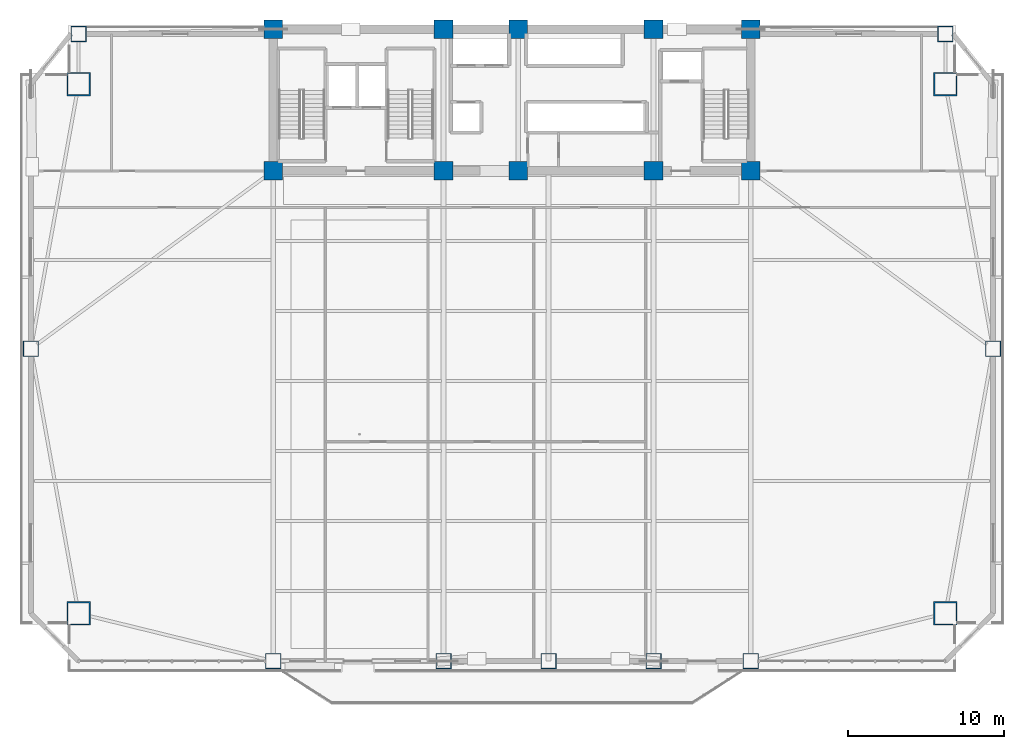
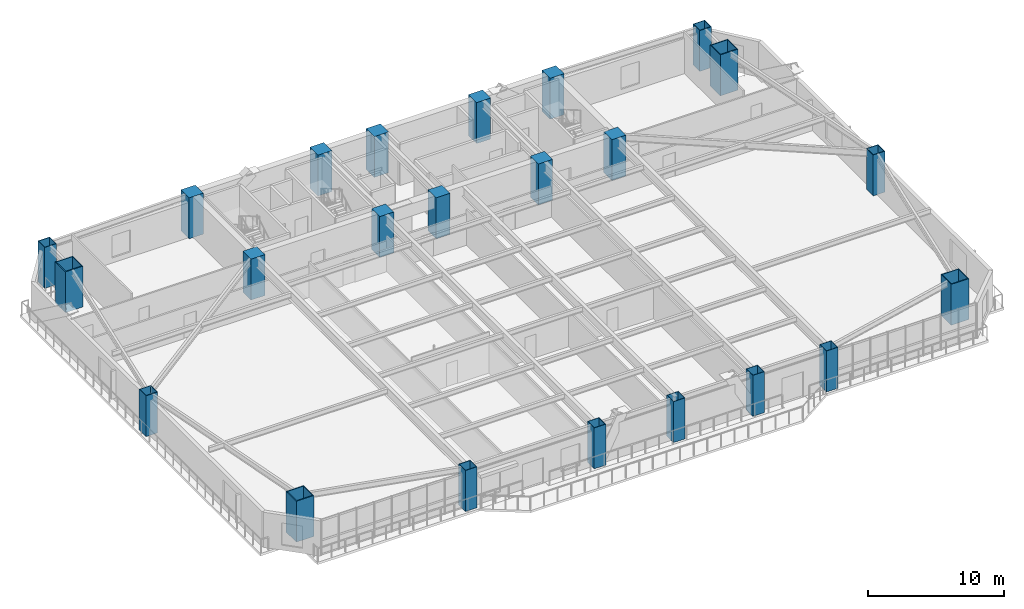
# One storey, part 1 of 16: 23 columns.
"""IFC4 building model written with IfcOpenShell, lengths in metres."""

from ifc_helpers import new_model, si_unit, direction, frame, origin, origin_2d, place, context, subcontext, project, spatial, rectangle, hollow_rectangle, extrude, source, transform, mapped, material, material_profile, profile_set, type_object, element, save


model = new_model("IFC4")

# Units and contexts
model_context = context("Model", 3, precision=1e-05, world=origin(), true_north=direction((0.0, 1.0)))
body_context = subcontext(model_context, "Body", "Model", "MODEL_VIEW")
ifc_project = project(units=[si_unit("LENGTHUNIT", "METRE"), si_unit("AREAUNIT", "SQUARE_METRE"), si_unit("VOLUMEUNIT", "CUBIC_METRE"), si_unit("PLANEANGLEUNIT", "RADIAN"), si_unit("MASSUNIT", "GRAM", prefix="KILO")], contexts=[model_context])

# Site, building, storey
site_placement = place(None, origin())
site = spatial("IfcSite", under=ifc_project, at=site_placement, CompositionType="ELEMENT")
building_placement = place(site_placement, origin())
building = spatial("IfcBuilding", under=site, at=building_placement, Name="Giltprow Tower", CompositionType="ELEMENT")
storey_placement = place(building_placement, frame((0.0, 0.0, 87.39990234375)))
storey = spatial("IfcBuildingStorey", under=building, at=storey_placement, Name="L21", CompositionType="ELEMENT", Elevation=87.39990234375)

# Columns
ifc_material_1 = material(Name="Concrete C60", Category="concrete")
ifc_material_profile_1 = material_profile(ifc_material_1, rectangle(XDim=1.199951171875, YDim=1.199951171875, at=origin_2d()), Name="RC 1200x1200")
ifc_profile_set_1 = profile_set([ifc_material_profile_1], Name="Concrete C60")
column_type_1 = type_object("IfcColumnType", Name="PIL-RC-1200-C60", PredefinedType="PILASTER", material=ifc_profile_set_1)
shared_shape_1 = source(origin(), body_context, "Body", "SweptSolid", [
    extrude(rectangle(XDim=1.199951171875, YDim=1.199951171875, at=origin_2d()), origin(), (0.0, 0.0, 1.0), 3.68017578125),
])
for number, where, z_axis, x_axis, name in (
    (1, (19.85009765625, 37.449951171875, 0.0), (0.0, 0.0, 1.0), (1.0, 0.0, 0.0), "L21 Core Boundary Pilaster 1-1"),
    (2, (19.85009765625, 46.550048828125, 0.0), (0.0, 0.0, 1.0), (1.0, 0.0, 0.0), "L21 Core Boundary Pilaster 1-2"),
    (3, (30.800048828125, 37.449951171875, 0.0), (0.0, 0.0, 1.0), (1.0, 0.0, 0.0), "L21 Core Boundary Pilaster 2-1"),
    (4, (30.800048828125, 46.550048828125, 0.0), (0.0, 0.0, 1.0), (1.0, 0.0, 0.0), "L21 Core Boundary Pilaster 2-2"),
    (5, (35.60009765625, 37.449951171875, 0.0), (0.0, 0.0, 1.0), (1.0, 0.0, 0.0), "L21 Core Boundary Pilaster 3-1"),
    (6, (35.60009765625, 46.550048828125, 0.0), (0.0, 0.0, 1.0), (1.0, 0.0, 0.0), "L21 Core Boundary Pilaster 3-2"),
    (7, (44.300048828125, 37.449951171875, 0.0), (0.0, 0.0, 1.0), (1.0, 0.0, 0.0), "L21 Core Boundary Pilaster 4-1"),
    (8, (44.300048828125, 46.550048828125, 0.0), (0.0, 0.0, 1.0), (1.0, 0.0, 0.0), "L21 Core Boundary Pilaster 4-2"),
    (9, (50.550048828125, 37.449951171875, 0.0), (0.0, 0.0, 1.0), (1.0, 0.0, 0.0), "L21 Core Boundary Pilaster 5-1"),
    (10, (50.550048828125, 46.550048828125, 0.0), (0.0, 0.0, 1.0), (1.0, 0.0, 0.0), "L21 Core Boundary Pilaster 5-2"),
):
    element("IfcColumn", number, at=place(storey_placement, frame(where, z_axis=z_axis, x_axis=x_axis)), inside=storey, type_object=column_type_1, Name=name, PredefinedType="PILASTER", context=body_context, shape_type="MappedRepresentation", body=[
        mapped(shared_shape_1, transform((0.0, 0.0, 0.0), x_axis=(1.0, 0.0, 0.0), y_axis=(0.0, 1.0, 0.0), z_axis=(0.0, 0.0, 1.0), scale=1.0)),
    ])
ifc_material_2 = material(Name="Structural steel Q420GJC", Category="steel")
ifc_material_profile_2 = material_profile(ifc_material_2, hollow_rectangle(XDim=1.5, YDim=1.5, WallThickness=0.070068359375, at=origin_2d()), Name="BOX 1500x1500x70")
ifc_profile_set_2 = profile_set([ifc_material_profile_2], Name="Structural steel Q420GJC")
column_type_2 = type_object("IfcColumnType", Name="COL-BOX-1500x1500x70", PredefinedType="COLUMN", material=ifc_profile_set_2)
shared_shape_2 = source(origin(), body_context, "Body", "SweptSolid", [
    extrude(hollow_rectangle(XDim=1.5, YDim=1.5, WallThickness=0.070068359375, at=origin_2d()), origin(), (0.0, 0.0, 1.0), 3.68017578125),
])
for number, where, z_axis, x_axis, name in (
    (11, (7.344970703125, 9.006103515625, 0.0), (0.0, 0.0, 1.0), (1.0, 0.0, 0.0), "L21 Mega-Column MC_SW"),
    (12, (63.055908203125, 9.006103515625, 0.0), (0.0, 0.0, 1.0), (1.0, 0.0, 0.0), "L21 Mega-Column MC_SE"),
    (13, (7.344970703125, 43.030029296875, 0.0), (0.0, 0.0, 1.0), (1.0, 0.0, 0.0), "L21 Mega-Column MC_NW"),
    (14, (63.055908203125, 43.030029296875, 0.0), (0.0, 0.0, 1.0), (1.0, 0.0, 0.0), "L21 Mega-Column MC_NE"),
):
    element("IfcColumn", number, at=place(storey_placement, frame(where, z_axis=z_axis, x_axis=x_axis)), inside=storey, type_object=column_type_2, Name=name, PredefinedType="COLUMN", context=body_context, shape_type="MappedRepresentation", body=[
        mapped(shared_shape_2, transform((0.0, 0.0, 0.0), x_axis=(1.0, 0.0, 0.0), y_axis=(0.0, 1.0, 0.0), z_axis=(0.0, 0.0, 1.0), scale=1.0)),
    ])
ifc_material_profile_3 = material_profile(ifc_material_2, hollow_rectangle(XDim=1.0, YDim=1.0, WallThickness=0.044921875, at=origin_2d()), Name="BOX 1000x1000x45")
ifc_profile_set_3 = profile_set([ifc_material_profile_3], Name="Structural steel Q420GJC")
column_type_3 = type_object("IfcColumnType", Name="COL-BOX-1000x1000x45", PredefinedType="COLUMN", material=ifc_profile_set_3)
shared_shape_3 = source(origin(), body_context, "Body", "SweptSolid", [
    extrude(hollow_rectangle(XDim=1.0, YDim=1.0, WallThickness=0.044921875, at=origin_2d()), origin(), (0.0, 0.0, 1.0), 3.68017578125),
])
for number, where, z_axis, x_axis, name in (
    (15, (19.85009765625, 5.93603515625, 0.0), (0.0, 0.0, 1.0), (1.0, 0.0, 0.0), "L21 Perimeter Column S1"),
    (16, (30.800048828125, 5.93603515625, 0.0), (0.0, 0.0, 1.0), (1.0, 0.0, 0.0), "L21 Perimeter Column S2"),
    (17, (37.550048828125, 5.93603515625, 0.0), (0.0, 0.0, 1.0), (1.0, 0.0, 0.0), "L21 Perimeter Column S_MID"),
    (18, (44.300048828125, 5.93603515625, 0.0), (0.0, 0.0, 1.0), (1.0, 0.0, 0.0), "L21 Perimeter Column S3"),
    (19, (50.550048828125, 5.93603515625, 0.0), (0.0, 0.0, 1.0), (1.0, 0.0, 0.0), "L21 Perimeter Column S4"),
    (20, (4.27490234375, 26.01806640625, 0.0), (0.0, 0.0, 1.0), (1.0, 0.0, 0.0), "L21 Perimeter Column W_MID"),
    (21, (66.1259765625, 26.01806640625, 0.0), (0.0, 0.0, 1.0), (1.0, 0.0, 0.0), "L21 Perimeter Column E_MID"),
    (22, (7.344970703125, 46.25, 0.0), (0.0, 0.0, 1.0), (1.0, 0.0, 0.0), "L21 Perimeter Column N_W"),
    (23, (63.055908203125, 46.25, 0.0), (0.0, 0.0, 1.0), (1.0, 0.0, 0.0), "L21 Perimeter Column N_E"),
):
    element("IfcColumn", number, at=place(storey_placement, frame(where, z_axis=z_axis, x_axis=x_axis)), inside=storey, type_object=column_type_3, Name=name, PredefinedType="COLUMN", context=body_context, shape_type="MappedRepresentation", body=[
        mapped(shared_shape_3, transform((0.0, 0.0, 0.0), x_axis=(1.0, 0.0, 0.0), y_axis=(0.0, 1.0, 0.0), z_axis=(0.0, 0.0, 1.0), scale=1.0)),
    ])

save(model, "model.ifc")
